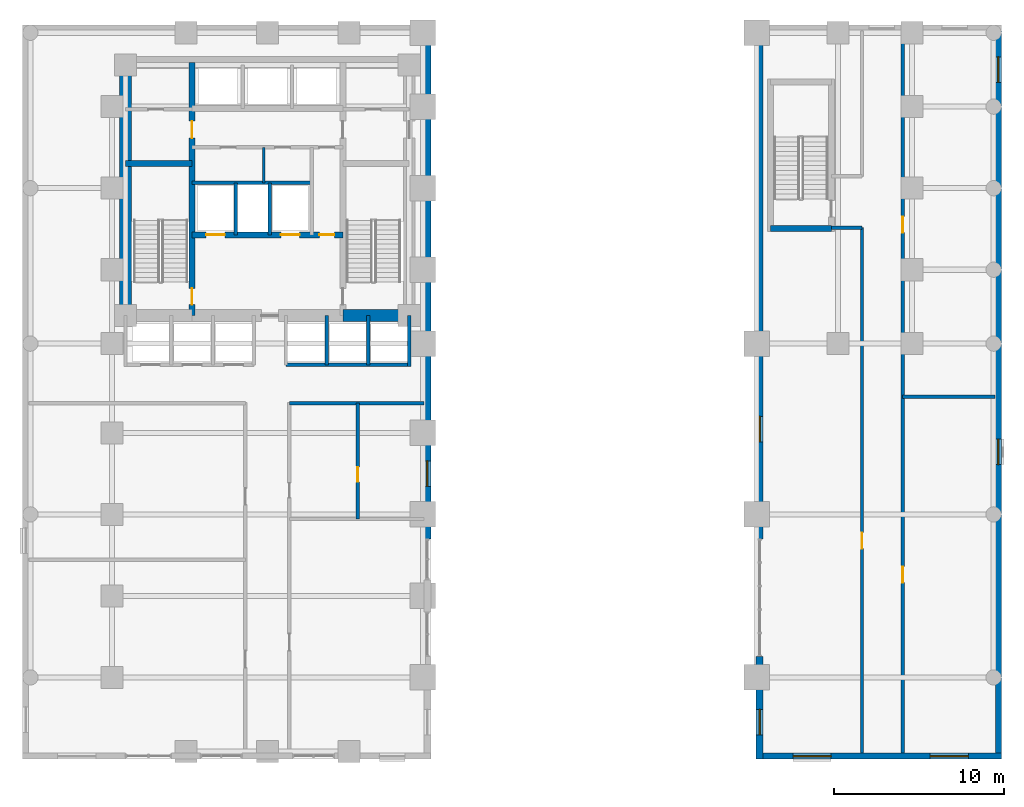
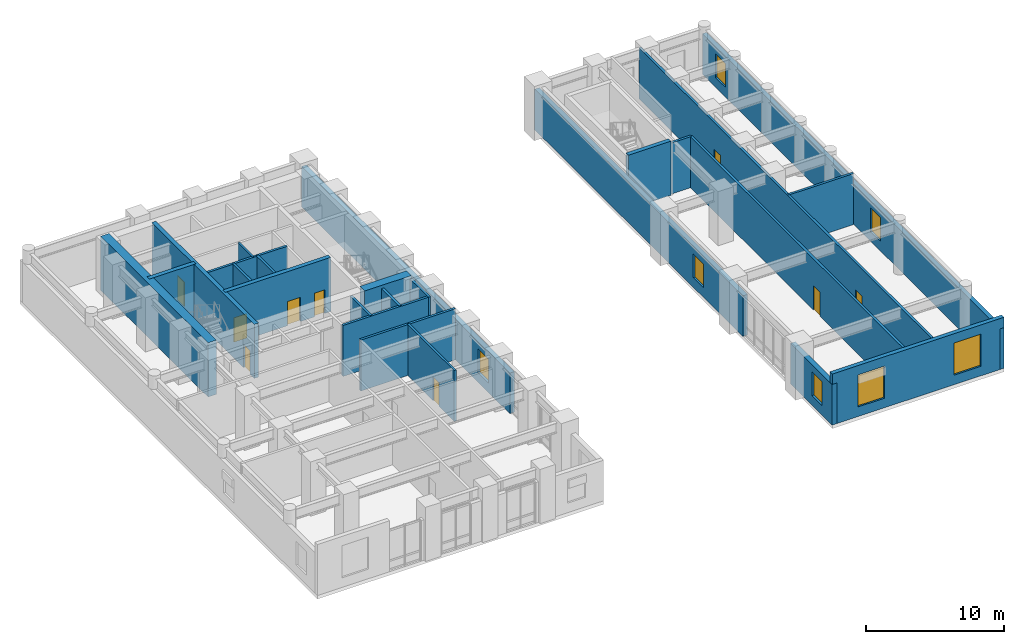
# One storey, part 7 of 11: 25 walls, 9 doors, 7 windows, 16 openings.
"""IFC4 building model written with IfcOpenShell, lengths in metres."""

from ifc_helpers import new_model, si_unit, direction, frame, frame_2d, origin, place, context, subcontext, project, spatial, rectangle, extrude, material, layer, layer_set, type_object, element, fill, save


model = new_model("IFC4")

# Units and contexts
model_context = context("Model", 3, precision=1e-05, world=origin(), true_north=direction((0.0, 1.0)))
body_context = subcontext(model_context, "Body", "Model", "MODEL_VIEW")
ifc_project = project(units=[si_unit("LENGTHUNIT", "METRE"), si_unit("AREAUNIT", "SQUARE_METRE"), si_unit("VOLUMEUNIT", "CUBIC_METRE"), si_unit("PLANEANGLEUNIT", "RADIAN"), si_unit("MASSUNIT", "GRAM", prefix="KILO")], contexts=[model_context])

# Site, building, storey
site_placement = place(None, origin())
site = spatial("IfcSite", under=ifc_project, at=site_placement, CompositionType="ELEMENT")
building_placement = place(site_placement, origin())
building = spatial("IfcBuilding", under=site, at=building_placement, Name="Orvandelia Arch Residences", CompositionType="ELEMENT")
storey_placement = place(building_placement, frame((0.0, 0.0, 5.199951171875)))
storey = spatial("IfcBuildingStorey", under=building, at=storey_placement, Name="L01", CompositionType="ELEMENT", Elevation=5.199951171875)

# Wall, opening, window
ifc_material_1 = material(Name="Precast concrete C40/50", Category="concrete")
ifc_layer_1 = layer(ifc_material_1, 0.39990234375, Name="Precast concrete C40/50", Category="concrete")
ifc_layer_set_1 = layer_set([ifc_layer_1], Name="Precast concrete C40/50")
wall_type_1 = type_object("IfcWallType", Name="WL-ARCH-CHEEK-400", PredefinedType="SOLIDWALL", material=ifc_layer_set_1)
wall_1_placement = place(storey_placement, frame((23.824951171875, 48.0, 0.0), z_axis=(0.0, 0.0, 1.0), x_axis=(0.0, -1.0, 0.0)))
wall_1 = element("IfcWall", 1, at=wall_1_placement, inside=storey, type_object=wall_type_1, Name="Giant Arch Pier Cheek Wall L01-002", PredefinedType="SOLIDWALL", context=body_context, shape_type="SweptSolid", body=[
    extrude(rectangle(XDim=30.239990234375, YDim=0.39990234375, at=frame_2d((15.1201171875, 0.0))), origin(), (0.0, 0.0, 1.0), 3.60009765625),
])
opening_1_placement = place(wall_1_placement, frame((25.64990234375, 0.0, 0.85009765625)))
opening_1 = element("IfcOpeningElement", 2, at=opening_1_placement, cuts=wall_1, Name="Opening W2", PredefinedType="OPENING", context=body_context, shape_type="SweptSolid", body=[
    extrude(rectangle(XDim=1.5, YDim=2.10009765625, at=frame_2d((0.75, 1.050048828125))), frame((0.0, 0.2099609375, 0.0), z_axis=(0.0, -1.0, 0.0), x_axis=(1.0, 0.0, 0.0)), (0.0, 0.0, 1.0), 0.419921875),
])
ifc_material_2 = material(Name="Tempered Low-E Insulated Glazing", Category="glass")
window_type_1 = type_object("IfcWindowType", Name="WIN-RES-1500x2100", PartitioningType="SINGLE_PANEL", PredefinedType="WINDOW", material=ifc_material_2)
window_1_placement = place(opening_1_placement, origin())
window_1 = element("IfcWindow", 3, at=window_1_placement, inside=storey, type_object=window_type_1, Name="Recessed Punched Window L01-001", OverallHeight=2.10009765625, OverallWidth=1.5, PartitioningType="SINGLE_PANEL", PredefinedType="WINDOW", context=body_context, shape_type="SweptSolid", body=[
    extrude(rectangle(XDim=1.5, YDim=2.10009765625, at=frame_2d((0.75, 1.050048828125))), frame((0.0, 0.030029296875, 0.0), z_axis=(0.0, -1.0, 0.0), x_axis=(1.0, 0.0, 0.0)), (0.0, 0.0, 1.0), 0.06005859375),
])
fill(opening_1, window_1)

wall_2_placement = place(storey_placement, frame((43.375, 4.800048828125, 0.0), z_axis=(0.0, 0.0, 1.0), x_axis=(0.0, 1.0, 0.0)))
wall_2 = element("IfcWall", 4, at=wall_2_placement, inside=storey, type_object=wall_type_1, Name="Giant Arch Pier Cheek Wall L01-013", PredefinedType="SOLIDWALL", context=body_context, shape_type="SweptSolid", body=[
    extrude(rectangle(XDim=6.0400390625, YDim=0.39990234375, at=frame_2d((3.02001953125, 0.0))), origin(), (0.0, 0.0, 1.0), 3.60009765625),
])
opening_2_placement = place(wall_2_placement, frame((1.425048828125, 0.0, 0.85009765625)))
opening_2 = element("IfcOpeningElement", 5, at=opening_2_placement, cuts=wall_2, Name="Opening W2", PredefinedType="OPENING", context=body_context, shape_type="SweptSolid", body=[
    extrude(rectangle(XDim=1.5, YDim=2.10009765625, at=frame_2d((0.75, 1.050048828125))), frame((0.0, 0.2099609375, 0.0), z_axis=(0.0, -1.0, 0.0), x_axis=(1.0, 0.0, 0.0)), (0.0, 0.0, 1.0), 0.419921875),
])
window_2_placement = place(opening_2_placement, origin())
window_2 = element("IfcWindow", 6, at=window_2_placement, inside=storey, type_object=window_type_1, Name="Recessed Punched Window L01-013", OverallHeight=2.10009765625, OverallWidth=1.5, PartitioningType="SINGLE_PANEL", PredefinedType="WINDOW", context=body_context, shape_type="SweptSolid", body=[
    extrude(rectangle(XDim=1.5, YDim=2.10009765625, at=frame_2d((0.75, 1.050048828125))), frame((0.0, 0.030029296875, 0.0), z_axis=(0.0, -1.0, 0.0), x_axis=(1.0, 0.0, 0.0)), (0.0, 0.0, 1.0), 0.06005859375),
])
fill(opening_2, window_2)

wall_3_placement = place(storey_placement, frame((43.375, 17.760009765625, 0.0), z_axis=(0.0, 0.0, 1.0), x_axis=(0.0, 1.0, 0.0)))
wall_3 = element("IfcWall", 7, at=wall_3_placement, inside=storey, type_object=wall_type_1, Name="Giant Arch Pier Cheek Wall L01-014", PredefinedType="SOLIDWALL", context=body_context, shape_type="SweptSolid", body=[
    extrude(rectangle(XDim=30.239990234375, YDim=0.39990234375, at=frame_2d((15.1201171875, 0.0))), origin(), (0.0, 0.0, 1.0), 3.60009765625),
])
opening_3_placement = place(wall_3_placement, frame((5.715087890625, 0.0, 0.85009765625)))
opening_3 = element("IfcOpeningElement", 8, at=opening_3_placement, cuts=wall_3, Name="Opening W2", PredefinedType="OPENING", context=body_context, shape_type="SweptSolid", body=[
    extrude(rectangle(XDim=1.5, YDim=2.10009765625, at=frame_2d((0.75, 1.050048828125))), frame((0.0, 0.2099609375, 0.0), z_axis=(0.0, -1.0, 0.0), x_axis=(1.0, 0.0, 0.0)), (0.0, 0.0, 1.0), 0.419921875),
])
window_3_placement = place(opening_3_placement, origin())
window_3 = element("IfcWindow", 9, at=window_3_placement, inside=storey, type_object=window_type_1, Name="Recessed Punched Window L01-014", OverallHeight=2.10009765625, OverallWidth=1.5, PartitioningType="SINGLE_PANEL", PredefinedType="WINDOW", context=body_context, shape_type="SweptSolid", body=[
    extrude(rectangle(XDim=1.5, YDim=2.10009765625, at=frame_2d((0.75, 1.050048828125))), frame((0.0, 0.030029296875, 0.0), z_axis=(0.0, -1.0, 0.0), x_axis=(1.0, 0.0, 0.0)), (0.0, 0.0, 1.0), 0.06005859375),
])
fill(opening_3, window_3)

# Wall, openings, doors
ifc_material_3 = material(Name="Concrete C50/60", Category="concrete")
ifc_layer_2 = layer(ifc_material_3, 0.35009765625, Name="Concrete C50/60", Category="concrete")
ifc_layer_set_2 = layer_set([ifc_layer_2], Name="Concrete C50/60")
wall_type_2 = type_object("IfcWallType", Name="WL-CORE-350", PredefinedType="SHEAR", material=ifc_layer_set_2)
wall_4_placement = place(storey_placement, frame((9.9599609375, 30.89990234375, 0.0), z_axis=(0.0, 0.0, 1.0), x_axis=(0.0, 1.0, 0.0)))
wall_4 = element("IfcWall", 10, at=wall_4_placement, inside=storey, type_object=wall_type_2, Name="Core Shear Wall L01-WEB1", PredefinedType="SHEAR", context=body_context, shape_type="SweptSolid", body=[
    extrude(rectangle(XDim=14.900146484375, YDim=0.35009765625, at=frame_2d((7.4501953125, 0.0))), origin(), (0.0, 0.0, 1.0), 4.800048828125),
])
opening_4_placement = place(wall_4_placement, frame((0.64990234375, 0.0, 0.0)))
opening_4 = element("IfcOpeningElement", 11, at=opening_4_placement, cuts=wall_4, Name="Opening D7", PredefinedType="OPENING", context=body_context, shape_type="SweptSolid", body=[
    extrude(rectangle(XDim=0.949951171875, YDim=2.10009765625, at=frame_2d((0.47509765625, 1.050048828125))), frame((0.0, 0.18505859375, 0.0), z_axis=(0.0, -1.0, 0.0), x_axis=(1.0, 0.0, 0.0)), (0.0, 0.0, 1.0), 0.3701171875),
])
opening_5_placement = place(wall_4_placement, frame((10.449951171875, 0.0, 0.0)))
opening_5 = element("IfcOpeningElement", 12, at=opening_5_placement, cuts=wall_4, Name="Opening D6", PredefinedType="OPENING", context=body_context, shape_type="SweptSolid", body=[
    extrude(rectangle(XDim=1.0, YDim=2.14990234375, at=frame_2d((0.5, 1.074951171875))), frame((0.0, 0.18505859375, 0.0), z_axis=(0.0, -1.0, 0.0), x_axis=(1.0, 0.0, 0.0)), (0.0, 0.0, 1.0), 0.3701171875),
])
ifc_material_4 = material(Name="Smokeproof Painted Steel Fire Door", Category="steel")
door_type_1 = type_object("IfcDoorType", Name="DR-FD60-1000", OperationType="NOTDEFINED", PredefinedType="DOOR", material=ifc_material_4)
door_1_placement = place(opening_5_placement, origin())
door_1 = element("IfcDoor", 13, at=door_1_placement, inside=storey, type_object=door_type_1, Name="High-Rise Lift Hall West Vestibule Door L01", OperationType="SINGLE_SWING_LEFT", OverallHeight=2.14990234375, OverallWidth=1.0, PredefinedType="DOOR", context=body_context, shape_type="SweptSolid", body=[
    extrude(rectangle(XDim=1.0, YDim=2.14990234375, at=frame_2d((0.5, 1.074951171875))), frame((0.0, 0.02490234375, 0.0), z_axis=(0.0, -1.0, 0.0), x_axis=(1.0, 0.0, 0.0)), (0.0, 0.0, 1.0), 0.050048828125),
])
fill(opening_5, door_1)
ifc_material_5 = material(Name="Pressurised Stairwell Fire Door")
door_type_2 = type_object("IfcDoorType", Name="DR-STAIR-950", OperationType="NOTDEFINED", PredefinedType="DOOR", material=ifc_material_5)
door_2_placement = place(opening_4_placement, origin())
door_2 = element("IfcDoor", 14, at=door_2_placement, inside=storey, type_object=door_type_2, Name="Stairwell ST-1 Fire Door L01", OperationType="SINGLE_SWING_LEFT", OverallHeight=2.10009765625, OverallWidth=0.949951171875, PredefinedType="DOOR", context=body_context, shape_type="SweptSolid", body=[
    extrude(rectangle(XDim=0.949951171875, YDim=2.10009765625, at=frame_2d((0.47509765625, 1.050048828125))), frame((0.0, 0.02490234375, 0.0), z_axis=(0.0, -1.0, 0.0), x_axis=(1.0, 0.0, 0.0)), (0.0, 0.0, 1.0), 0.050048828125),
])
fill(opening_4, door_2)

# Wall
wall_5_placement = place(storey_placement, frame((6.050048828125, 39.85009765625, 0.0), z_axis=(0.0, 0.0, 1.0), x_axis=(1.0, 0.0, 0.0)))
element("IfcWall", 15, at=wall_5_placement, inside=storey, type_object=wall_type_2, Name="Core Shear Wall L01-HZ1", PredefinedType="SHEAR", context=body_context, shape_type="SweptSolid", body=[
    extrude(rectangle(XDim=3.909912109375, YDim=0.35009765625, at=frame_2d((1.955078125, 0.0))), origin(), (0.0, 0.0, 1.0), 4.800048828125),
])

# Wall, openings, doors
wall_6_placement = place(storey_placement, frame((9.9599609375, 35.64990234375, 0.0), z_axis=(0.0, 0.0, 1.0), x_axis=(1.0, 0.0, 0.0)))
wall_6 = element("IfcWall", 16, at=wall_6_placement, inside=storey, type_object=wall_type_2, Name="Core Shear Wall L01-HZ3", PredefinedType="SHEAR", context=body_context, shape_type="SweptSolid", body=[
    extrude(rectangle(XDim=8.880126953125, YDim=0.35009765625, at=frame_2d((4.43994140625, 0.0))), origin(), (0.0, 0.0, 1.0), 4.800048828125),
])
opening_6_placement = place(wall_6_placement, frame((0.840087890625, 0.0, 0.0)))
opening_6 = element("IfcOpeningElement", 17, at=opening_6_placement, cuts=wall_6, Name="Opening FLD", PredefinedType="OPENING", context=body_context, shape_type="SweptSolid", body=[
    extrude(rectangle(XDim=1.10009765625, YDim=2.14990234375, at=frame_2d((0.550048828125, 1.074951171875))), frame((0.0, 0.18505859375, 0.0), z_axis=(0.0, -1.0, 0.0), x_axis=(1.0, 0.0, 0.0)), (0.0, 0.0, 1.0), 0.3701171875),
])
opening_7_placement = place(wall_6_placement, frame((5.239990234375, 0.0, 0.0)))
opening_7 = element("IfcOpeningElement", 18, at=opening_7_placement, cuts=wall_6, Name="Opening FLD", PredefinedType="OPENING", context=body_context, shape_type="SweptSolid", body=[
    extrude(rectangle(XDim=1.10009765625, YDim=2.14990234375, at=frame_2d((0.550048828125, 1.074951171875))), frame((0.0, 0.18505859375, 0.0), z_axis=(0.0, -1.0, 0.0), x_axis=(1.0, 0.0, 0.0)), (0.0, 0.0, 1.0), 0.3701171875),
])
opening_8_placement = place(wall_6_placement, frame((7.5, 0.0, 0.0)))
opening_8 = element("IfcOpeningElement", 19, at=opening_8_placement, cuts=wall_6, Name="Opening D5", PredefinedType="OPENING", context=body_context, shape_type="SweptSolid", body=[
    extrude(rectangle(XDim=0.8798828125, YDim=2.10009765625, at=frame_2d((0.43994140625, 1.050048828125))), frame((0.0, 0.18505859375, 0.0), z_axis=(0.0, -1.0, 0.0), x_axis=(1.0, 0.0, 0.0)), (0.0, 0.0, 1.0), 0.3701171875),
])
ifc_material_6 = material(Name="Firefighting Lift Stainless Sliding Door")
door_type_3 = type_object("IfcDoorType", Name="DR-FLFT-1100", OperationType="NOTDEFINED", PredefinedType="DOOR", material=ifc_material_6)
door_3_placement = place(opening_6_placement, origin())
door_3 = element("IfcDoor", 20, at=door_3_placement, inside=storey, type_object=door_type_3, Name="Firefighting Lift Landing Door FLD-FL1-L01", OperationType="SLIDING_TO_LEFT", OverallHeight=2.14990234375, OverallWidth=1.10009765625, PredefinedType="DOOR", context=body_context, shape_type="SweptSolid", body=[
    extrude(rectangle(XDim=1.10009765625, YDim=2.14990234375, at=frame_2d((0.550048828125, 1.074951171875))), frame((0.0, 0.02490234375, 0.0), z_axis=(0.0, -1.0, 0.0), x_axis=(1.0, 0.0, 0.0)), (0.0, 0.0, 1.0), 0.050048828125),
])
fill(opening_6, door_3)
door_4_placement = place(opening_7_placement, origin())
door_4 = element("IfcDoor", 21, at=door_4_placement, inside=storey, type_object=door_type_3, Name="Firefighting Lift Landing Door FLD-FL2-L01", OperationType="SLIDING_TO_RIGHT", OverallHeight=2.14990234375, OverallWidth=1.10009765625, PredefinedType="DOOR", context=body_context, shape_type="SweptSolid", body=[
    extrude(rectangle(XDim=1.10009765625, YDim=2.14990234375, at=frame_2d((0.550048828125, 1.074951171875))), frame((0.0, 0.02490234375, 0.0), z_axis=(0.0, -1.0, 0.0), x_axis=(1.0, 0.0, 0.0)), (0.0, 0.0, 1.0), 0.050048828125),
])
fill(opening_7, door_4)
ifc_material_7 = material(Name="Painted Galvanised Steel Service Door", Category="steel")
door_type_4 = type_object("IfcDoorType", Name="DR-SRV-880", OperationType="NOTDEFINED", PredefinedType="DOOR", material=ifc_material_7)
door_5_placement = place(opening_8_placement, origin())
door_5 = element("IfcDoor", 22, at=door_5_placement, inside=storey, type_object=door_type_4, Name="Core Stairway Passage South Fire Door L01", OperationType="SINGLE_SWING_LEFT", OverallHeight=2.10009765625, OverallWidth=0.8798828125, PredefinedType="DOOR", context=body_context, shape_type="SweptSolid", body=[
    extrude(rectangle(XDim=0.8798828125, YDim=2.10009765625, at=frame_2d((0.43994140625, 1.050048828125))), frame((0.0, 0.02490234375, 0.0), z_axis=(0.0, -1.0, 0.0), x_axis=(1.0, 0.0, 0.0)), (0.0, 0.0, 1.0), 0.050048828125),
])
fill(opening_8, door_5)

# Walls
wall_7_placement = place(storey_placement, frame((44.02001953125, 36.0400390625, 0.0), z_axis=(0.0, 0.0, 1.0), x_axis=(1.0, 0.0, 0.0)))
element("IfcWall", 23, at=wall_7_placement, inside=storey, type_object=wall_type_2, Name="East Stair Core Shear Wall L01-S", PredefinedType="SHEAR", context=body_context, shape_type="SweptSolid", body=[
    extrude(rectangle(XDim=3.580078125, YDim=0.35009765625, at=frame_2d((1.7900390625, 0.0))), origin(), (0.0, 0.0, 1.0), 4.800048828125),
])
ifc_material_8 = material(Name="Concrete C80/95", Category="concrete")
ifc_layer_3 = layer(ifc_material_8, 0.699951171875, Name="Concrete C80/95", Category="concrete")
ifc_layer_set_3 = layer_set([ifc_layer_3], Name="Concrete C80/95")
wall_type_3 = type_object("IfcWallType", Name="WL-CORE-700", PredefinedType="SHEAR", material=ifc_layer_set_3)
wall_8_placement = place(storey_placement, frame((6.050048828125, 30.550048828125, 0.0), z_axis=(0.0, 0.0, 1.0), x_axis=(0.0, 1.0, 0.0)))
element("IfcWall", 24, at=wall_8_placement, inside=storey, type_object=wall_type_3, Name="Core Shear Wall L01-W", PredefinedType="SHEAR", context=body_context, shape_type="SweptSolid", body=[
    extrude(rectangle(XDim=15.599853515625, YDim=0.699951171875, at=frame_2d((7.7998046875, 0.0))), origin(), (0.0, 0.0, 1.0), 4.800048828125),
])
wall_9_placement = place(storey_placement, frame((18.840087890625, 30.89990234375, 0.0), z_axis=(0.0, 0.0, 1.0), x_axis=(1.0, 0.0, 0.0)))
element("IfcWall", 25, at=wall_9_placement, inside=storey, type_object=wall_type_3, Name="Core Shear Wall L01-SE", PredefinedType="SHEAR", context=body_context, shape_type="SweptSolid", body=[
    extrude(rectangle(XDim=3.909912109375, YDim=0.699951171875, at=frame_2d((1.955078125, 0.0))), origin(), (0.0, 0.0, 1.0), 4.800048828125),
])
ifc_material_9 = material(Name="Fire-Rated Corridor Partition")
ifc_layer_4 = layer(ifc_material_9, 0.199951171875, Name="Fire-Rated Corridor Partition")
ifc_layer_set_4 = layer_set([ifc_layer_4], Name="Fire-Rated Corridor Partition")
wall_type_4 = type_object("IfcWallType", Name="WL-CORR-200", PredefinedType="PARTITIONING", material=ifc_layer_set_4)
wall_10_placement = place(storey_placement, frame((15.699951171875, 25.75, 0.0), z_axis=(0.0, 0.0, 1.0), x_axis=(1.0, 0.0, 0.0)))
element("IfcWall", 26, at=wall_10_placement, inside=storey, type_object=wall_type_4, Name="Interior Partition Wall WL-L01-PW-CLS2", PredefinedType="PARTITIONING", context=body_context, shape_type="SweptSolid", body=[
    extrude(rectangle(XDim=7.920166015625, YDim=0.199951171875, at=frame_2d((3.9599609375, 0.0))), origin(), (0.0, 0.0, 1.0), 4.52001953125),
])

# Wall, opening, door
wall_11_placement = place(storey_placement, frame((49.39990234375, 5.159912109375, 0.0), z_axis=(0.0, 0.0, 1.0), x_axis=(0.0, 1.0, 0.0)))
wall_11 = element("IfcWall", 27, at=wall_11_placement, inside=storey, type_object=wall_type_4, Name="Interior Partition Wall WL-L01-PE-W1", PredefinedType="PARTITIONING", context=body_context, shape_type="SweptSolid", body=[
    extrude(rectangle(XDim=30.920166015625, YDim=0.199951171875, at=frame_2d((15.4599609375, 0.0))), origin(), (0.0, 0.0, 1.0), 4.52001953125),
])
opening_9_placement = place(wall_11_placement, frame((12.02001953125, 0.0, 0.0)))
opening_9 = element("IfcOpeningElement", 28, at=opening_9_placement, cuts=wall_11, Name="Opening D2", PredefinedType="OPENING", context=body_context, shape_type="SweptSolid", body=[
    extrude(rectangle(XDim=0.949951171875, YDim=2.14990234375, at=frame_2d((0.47509765625, 1.074951171875))), frame((0.0, 0.10986328125, 0.0), z_axis=(0.0, -1.0, 0.0), x_axis=(1.0, 0.0, 0.0)), (0.0, 0.0, 1.0), 0.219970703125),
])
ifc_material_10 = material(Name="Solid-Core Timber Interior Fire Door", Category="wood")
door_type_5 = type_object("IfcDoorType", Name="DR-APT-950", OperationType="NOTDEFINED", PredefinedType="DOOR", material=ifc_material_10)
door_6_placement = place(opening_9_placement, origin())
door_6 = element("IfcDoor", 29, at=door_6_placement, inside=storey, type_object=door_type_5, Name="DR-L01-PEW", OperationType="SINGLE_SWING_RIGHT", OverallHeight=2.14990234375, OverallWidth=0.949951171875, PredefinedType="DOOR", context=body_context, shape_type="SweptSolid", body=[
    extrude(rectangle(XDim=0.949951171875, YDim=2.14990234375, at=frame_2d((0.47509765625, 1.074951171875))), frame((0.0, 0.02490234375, 0.0), z_axis=(0.0, -1.0, 0.0), x_axis=(1.0, 0.0, 0.0)), (0.0, 0.0, 1.0), 0.050048828125),
])
fill(opening_9, door_6)

# Wall
wall_12_placement = place(storey_placement, frame((47.60009765625, 36.080078125, 0.0), z_axis=(0.0, 0.0, 1.0), x_axis=(1.0, 0.0, 0.0)))
element("IfcWall", 30, at=wall_12_placement, inside=storey, type_object=wall_type_4, Name="Interior Partition Wall WL-L01-PE-VS", PredefinedType="PARTITIONING", context=body_context, shape_type="SweptSolid", body=[
    extrude(rectangle(XDim=1.7998046875, YDim=0.199951171875, at=frame_2d((0.89990234375, 0.0))), origin(), (0.0, 0.0, 1.0), 4.52001953125),
])

# Wall, openings, doors
wall_13_placement = place(storey_placement, frame((51.800048828125, 5.159912109375, 0.0), z_axis=(0.0, 0.0, 1.0), x_axis=(0.0, 1.0, 0.0)))
wall_13 = element("IfcWall", 31, at=wall_13_placement, inside=storey, type_object=wall_type_4, Name="Interior Partition Wall WL-L01-PE-E", PredefinedType="PARTITIONING", context=body_context, shape_type="SweptSolid", body=[
    extrude(rectangle(XDim=42.47998046875, YDim=0.199951171875, at=frame_2d((21.239990234375, 0.0))), origin(), (0.0, 0.0, 1.0), 4.52001953125),
])
opening_10_placement = place(wall_13_placement, frame((10.02001953125, 0.0, 0.0)))
opening_10 = element("IfcOpeningElement", 32, at=opening_10_placement, cuts=wall_13, Name="Opening D2", PredefinedType="OPENING", context=body_context, shape_type="SweptSolid", body=[
    extrude(rectangle(XDim=0.949951171875, YDim=2.14990234375, at=frame_2d((0.47509765625, 1.074951171875))), frame((0.0, 0.10986328125, 0.0), z_axis=(0.0, -1.0, 0.0), x_axis=(1.0, 0.0, 0.0)), (0.0, 0.0, 1.0), 0.219970703125),
])
opening_11_placement = place(wall_13_placement, frame((30.6201171875, 0.0, 0.0)))
opening_11 = element("IfcOpeningElement", 33, at=opening_11_placement, cuts=wall_13, Name="Opening D2", PredefinedType="OPENING", context=body_context, shape_type="SweptSolid", body=[
    extrude(rectangle(XDim=0.949951171875, YDim=2.14990234375, at=frame_2d((0.47509765625, 1.074951171875))), frame((0.0, 0.10986328125, 0.0), z_axis=(0.0, -1.0, 0.0), x_axis=(1.0, 0.0, 0.0)), (0.0, 0.0, 1.0), 0.219970703125),
])
door_7_placement = place(opening_10_placement, origin())
door_7 = element("IfcDoor", 34, at=door_7_placement, inside=storey, type_object=door_type_5, Name="DR-L01-PE1", OperationType="SINGLE_SWING_LEFT", OverallHeight=2.14990234375, OverallWidth=0.949951171875, PredefinedType="DOOR", context=body_context, shape_type="SweptSolid", body=[
    extrude(rectangle(XDim=0.949951171875, YDim=2.14990234375, at=frame_2d((0.47509765625, 1.074951171875))), frame((0.0, 0.02490234375, 0.0), z_axis=(0.0, -1.0, 0.0), x_axis=(1.0, 0.0, 0.0)), (0.0, 0.0, 1.0), 0.050048828125),
])
fill(opening_10, door_7)
door_8_placement = place(opening_11_placement, origin())
door_8 = element("IfcDoor", 35, at=door_8_placement, inside=storey, type_object=door_type_5, Name="DR-L01-PE2", OperationType="SINGLE_SWING_RIGHT", OverallHeight=2.14990234375, OverallWidth=0.949951171875, PredefinedType="DOOR", context=body_context, shape_type="SweptSolid", body=[
    extrude(rectangle(XDim=0.949951171875, YDim=2.14990234375, at=frame_2d((0.47509765625, 1.074951171875))), frame((0.0, 0.02490234375, 0.0), z_axis=(0.0, -1.0, 0.0), x_axis=(1.0, 0.0, 0.0)), (0.0, 0.0, 1.0), 0.050048828125),
])
fill(opening_11, door_8)

# Wall
ifc_material_11 = material(Name="Concrete C40/50", Category="concrete")
ifc_layer_5 = layer(ifc_material_11, 0.199951171875, Name="Concrete C40/50", Category="concrete")
ifc_layer_set_5 = layer_set([ifc_layer_5], Name="Concrete C40/50")
wall_type_5 = type_object("IfcWallType", Name="WL-DEM-200", PredefinedType="SOLIDWALL", material=ifc_layer_set_5)
wall_14_placement = place(storey_placement, frame((51.800048828125, 26.1201171875, 0.0), z_axis=(0.0, 0.0, 1.0), x_axis=(1.0, 0.0, 0.0)))
element("IfcWall", 36, at=wall_14_placement, inside=storey, type_object=wall_type_5, Name="Interior Partition Wall WL-L01-PE-M", PredefinedType="SOLIDWALL", context=body_context, shape_type="SweptSolid", body=[
    extrude(rectangle(XDim=5.43994140625, YDim=0.199951171875, at=frame_2d((2.719970703125, 0.0))), origin(), (0.0, 0.0, 1.0), 4.52001953125),
])

# Wall, openings, windows
ifc_layer_6 = layer(ifc_material_1, 0.35009765625, Name="Precast concrete C40/50", Category="concrete")
ifc_layer_set_6 = layer_set([ifc_layer_6], Name="Precast concrete C40/50")
wall_type_6 = type_object("IfcWallType", Name="WL-EXT-POD-350", PredefinedType="STANDARD", material=ifc_layer_set_6)
wall_15_placement = place(storey_placement, frame((57.425048828125, 48.0, 0.0), z_axis=(0.0, 0.0, 1.0), x_axis=(0.0, -1.0, 0.0)))
wall_15 = element("IfcWall", 37, at=wall_15_placement, inside=storey, type_object=wall_type_6, Name="Coral-Limestone Precast Facade Wall L01-011", PredefinedType="STANDARD", context=body_context, shape_type="SweptSolid", body=[
    extrude(rectangle(XDim=43.199951171875, YDim=0.35009765625, at=frame_2d((21.60009765625, 0.0))), origin(), (0.0, 0.0, 1.0), 3.60009765625),
])
opening_12_placement = place(wall_15_placement, frame((24.375, 0.0, 0.85009765625)))
opening_12 = element("IfcOpeningElement", 38, at=opening_12_placement, cuts=wall_15, Name="Opening W2", PredefinedType="OPENING", context=body_context, shape_type="SweptSolid", body=[
    extrude(rectangle(XDim=1.5, YDim=2.10009765625, at=frame_2d((0.75, 1.050048828125))), frame((0.0, 0.18505859375, 0.0), z_axis=(0.0, -1.0, 0.0), x_axis=(1.0, 0.0, 0.0)), (0.0, 0.0, 1.0), 0.3701171875),
])
opening_13_placement = place(wall_15_placement, frame((1.875, 0.0, 0.85009765625)))
opening_13 = element("IfcOpeningElement", 39, at=opening_13_placement, cuts=wall_15, Name="Opening W2", PredefinedType="OPENING", context=body_context, shape_type="SweptSolid", body=[
    extrude(rectangle(XDim=1.5, YDim=2.10009765625, at=frame_2d((0.75, 1.050048828125))), frame((0.0, 0.18505859375, 0.0), z_axis=(0.0, -1.0, 0.0), x_axis=(1.0, 0.0, 0.0)), (0.0, 0.0, 1.0), 0.3701171875),
])
window_4_placement = place(opening_12_placement, origin())
window_4 = element("IfcWindow", 40, at=window_4_placement, inside=storey, type_object=window_type_1, Name="Recessed Punched Window L01-009", OverallHeight=2.10009765625, OverallWidth=1.5, PartitioningType="SINGLE_PANEL", PredefinedType="WINDOW", context=body_context, shape_type="SweptSolid", body=[
    extrude(rectangle(XDim=1.5, YDim=2.10009765625, at=frame_2d((0.75, 1.050048828125))), frame((0.0, 0.030029296875, 0.0), z_axis=(0.0, -1.0, 0.0), x_axis=(1.0, 0.0, 0.0)), (0.0, 0.0, 1.0), 0.06005859375),
])
fill(opening_12, window_4)
window_5_placement = place(opening_13_placement, origin())
window_5 = element("IfcWindow", 41, at=window_5_placement, inside=storey, type_object=window_type_1, Name="Recessed Punched Window L01-010", OverallHeight=2.10009765625, OverallWidth=1.5, PartitioningType="SINGLE_PANEL", PredefinedType="WINDOW", context=body_context, shape_type="SweptSolid", body=[
    extrude(rectangle(XDim=1.5, YDim=2.10009765625, at=frame_2d((0.75, 1.050048828125))), frame((0.0, 0.030029296875, 0.0), z_axis=(0.0, -1.0, 0.0), x_axis=(1.0, 0.0, 0.0)), (0.0, 0.0, 1.0), 0.06005859375),
])
fill(opening_13, window_5)

wall_16_placement = place(storey_placement, frame((57.60009765625, 4.97509765625, 0.0), z_axis=(0.0, 0.0, 1.0), x_axis=(-1.0, 0.0, 0.0)))
wall_16 = element("IfcWall", 42, at=wall_16_placement, inside=storey, type_object=wall_type_6, Name="Coral-Limestone Precast Facade Wall L01-012", PredefinedType="STANDARD", context=body_context, shape_type="SweptSolid", body=[
    extrude(rectangle(XDim=14.400146484375, YDim=0.35009765625, at=frame_2d((7.2001953125, 0.0))), origin(), (0.0, 0.0, 1.0), 4.52001953125),
])
opening_14_placement = place(wall_16_placement, frame((1.93994140625, 0.0, 0.85009765625)))
opening_14 = element("IfcOpeningElement", 43, at=opening_14_placement, cuts=wall_16, Name="Opening W13", PredefinedType="OPENING", context=body_context, shape_type="SweptSolid", body=[
    extrude(rectangle(XDim=2.25, YDim=2.85009765625, at=frame_2d((1.125, 1.425048828125))), frame((0.0, 0.18505859375, 0.0), z_axis=(0.0, -1.0, 0.0), x_axis=(1.0, 0.0, 0.0)), (0.0, 0.0, 1.0), 0.3701171875),
])
opening_15_placement = place(wall_16_placement, frame((10.010009765625, 0.0, 0.85009765625)))
opening_15 = element("IfcOpeningElement", 44, at=opening_15_placement, cuts=wall_16, Name="Opening W13", PredefinedType="OPENING", context=body_context, shape_type="SweptSolid", body=[
    extrude(rectangle(XDim=2.25, YDim=2.85009765625, at=frame_2d((1.125, 1.425048828125))), frame((0.0, 0.18505859375, 0.0), z_axis=(0.0, -1.0, 0.0), x_axis=(1.0, 0.0, 0.0)), (0.0, 0.0, 1.0), 0.3701171875),
])
ifc_material_12 = material(Name="Laminated Acoustic Double Glazing", Category="glass")
window_type_2 = type_object("IfcWindowType", Name="WIN-GAL-2250x2850", PartitioningType="SINGLE_PANEL", PredefinedType="WINDOW", material=ifc_material_12)
window_6_placement = place(opening_14_placement, origin())
window_6 = element("IfcWindow", 45, at=window_6_placement, inside=storey, type_object=window_type_2, Name="Recessed Punched Window L01-011", OverallHeight=2.85009765625, OverallWidth=2.25, PartitioningType="SINGLE_PANEL", PredefinedType="WINDOW", context=body_context, shape_type="SweptSolid", body=[
    extrude(rectangle(XDim=2.25, YDim=2.85009765625, at=frame_2d((1.125, 1.425048828125))), frame((0.0, 0.030029296875, 0.0), z_axis=(0.0, -1.0, 0.0), x_axis=(1.0, 0.0, 0.0)), (0.0, 0.0, 1.0), 0.06005859375),
])
fill(opening_14, window_6)
window_7_placement = place(opening_15_placement, origin())
window_7 = element("IfcWindow", 46, at=window_7_placement, inside=storey, type_object=window_type_2, Name="Recessed Punched Window L01-012", OverallHeight=2.85009765625, OverallWidth=2.25, PartitioningType="SINGLE_PANEL", PredefinedType="WINDOW", context=body_context, shape_type="SweptSolid", body=[
    extrude(rectangle(XDim=2.25, YDim=2.85009765625, at=frame_2d((1.125, 1.425048828125))), frame((0.0, 0.030029296875, 0.0), z_axis=(0.0, -1.0, 0.0), x_axis=(1.0, 0.0, 0.0)), (0.0, 0.0, 1.0), 0.06005859375),
])
fill(opening_15, window_7)

# Walls
ifc_material_13 = material(Name="Acoustic Gypsum Stud Partition")
ifc_layer_7 = layer(ifc_material_13, 0.14990234375, Name="Acoustic Gypsum Stud Partition")
ifc_layer_set_7 = layer_set([ifc_layer_7], Name="Acoustic Gypsum Stud Partition")
wall_type_7 = type_object("IfcWallType", Name="WL-PART-150", PredefinedType="PARTITIONING", material=ifc_layer_set_7)
wall_17_placement = place(storey_placement, frame((14.199951171875, 38.719970703125, 0.0), z_axis=(0.0, 0.0, 1.0), x_axis=(0.0, 1.0, 0.0)))
element("IfcWall", 47, at=wall_17_placement, inside=storey, type_object=wall_type_7, Name="Interior Partition Wall WL-L01-CSA-1", PredefinedType="PARTITIONING", context=body_context, shape_type="SweptSolid", body=[
    extrude(rectangle(XDim=2.080078125, YDim=0.14990234375, at=frame_2d((1.0400390625, 0.0))), origin(), (0.0, 0.0, 1.0), 4.52001953125),
])
ifc_material_14 = material(Name="Fire-Rated Shaft Enclosure Wall")
ifc_layer_8 = layer(ifc_material_14, 0.199951171875, Name="Fire-Rated Shaft Enclosure Wall")
ifc_layer_set_8 = layer_set([ifc_layer_8], Name="Fire-Rated Shaft Enclosure Wall")
wall_type_8 = type_object("IfcWallType", Name="WL-SHAFT-200", PredefinedType="POLYGONAL", material=ifc_layer_set_8)
wall_18_placement = place(storey_placement, frame((9.9599609375, 38.719970703125, 0.0), z_axis=(0.0, 0.0, 1.0), x_axis=(1.0, 0.0, 0.0)))
element("IfcWall", 48, at=wall_18_placement, inside=storey, type_object=wall_type_8, Name="Interior Partition Wall WL-L01-FLN", PredefinedType="POLYGONAL", context=body_context, shape_type="SweptSolid", body=[
    extrude(rectangle(XDim=7.06005859375, YDim=0.199951171875, at=frame_2d((3.530029296875, 0.0))), origin(), (0.0, 0.0, 1.0), 4.52001953125),
])
for number, where, z_axis, x_axis, name in (
    (49, (12.550048828125, 35.64990234375, 0.0), (0.0, 0.0, 1.0), (0.0, 1.0, 0.0), "Interior Partition Wall WL-L01-FLM1"),
    (50, (14.550048828125, 35.64990234375, 0.0), (0.0, 0.0, 1.0), (0.0, 1.0, 0.0), "Interior Partition Wall WL-L01-FLM2"),
):
    element("IfcWall", number, at=place(storey_placement, frame(where, z_axis=z_axis, x_axis=x_axis)), inside=storey, type_object=wall_type_8, Name=name, PredefinedType="POLYGONAL", context=body_context, shape_type="SweptSolid", body=[
        extrude(rectangle(XDim=3.070068359375, YDim=0.199951171875, at=frame_2d((1.53515625, 0.0))), origin(), (0.0, 0.0, 1.0), 4.52001953125),
    ])
wall_19_placement = place(storey_placement, frame((15.5, 28.0, 0.0), z_axis=(0.0, 0.0, 1.0), x_axis=(1.0, 0.0, 0.0)))
element("IfcWall", 51, at=wall_19_placement, inside=storey, type_object=wall_type_8, Name="Interior Partition Wall WL-L01-BNKM-S", PredefinedType="POLYGONAL", context=body_context, shape_type="SweptSolid", body=[
    extrude(rectangle(XDim=7.25, YDim=0.199951171875, at=frame_2d((3.625, 0.0))), origin(), (0.0, 0.0, 1.0), 4.52001953125),
])
wall_20_placement = place(storey_placement, frame((22.75, 27.89990234375, 0.0), z_axis=(0.0, 0.0, 1.0), x_axis=(0.0, 1.0, 0.0)))
element("IfcWall", 52, at=wall_20_placement, inside=storey, type_object=wall_type_8, Name="Interior Partition Wall WL-L01-BNKM-E", PredefinedType="POLYGONAL", context=body_context, shape_type="SweptSolid", body=[
    extrude(rectangle(XDim=3.0, YDim=0.199951171875, at=frame_2d((1.5, 0.0))), origin(), (0.0, 0.0, 1.0), 4.52001953125),
])
for number, where, z_axis, x_axis, name in (
    (53, (17.89990234375, 28.0, 0.0), (0.0, 0.0, 1.0), (0.0, 1.0, 0.0), "Interior Partition Wall WL-L01-BNKD-1789"),
    (54, (20.35009765625, 28.0, 0.0), (0.0, 0.0, 1.0), (0.0, 1.0, 0.0), "Interior Partition Wall WL-L01-BNKD-2035"),
):
    element("IfcWall", number, at=place(storey_placement, frame(where, z_axis=z_axis, x_axis=x_axis)), inside=storey, type_object=wall_type_8, Name=name, PredefinedType="POLYGONAL", context=body_context, shape_type="SweptSolid", body=[
        extrude(rectangle(XDim=2.89990234375, YDim=0.199951171875, at=frame_2d((1.449951171875, 0.0))), origin(), (0.0, 0.0, 1.0), 4.52001953125),
    ])

# Wall, opening, door
ifc_material_15 = material(Name="Moisture-Resistant Plumbing Wall")
ifc_layer_9 = layer(ifc_material_15, 0.179931640625, Name="Moisture-Resistant Plumbing Wall")
ifc_layer_set_9 = layer_set([ifc_layer_9], Name="Moisture-Resistant Plumbing Wall")
wall_type_9 = type_object("IfcWallType", Name="WL-WET-180", PredefinedType="PLUMBINGWALL", material=ifc_layer_set_9)
wall_21_placement = place(storey_placement, frame((19.719970703125, 18.919921875, 0.0), z_axis=(0.0, 0.0, 1.0), x_axis=(0.0, 1.0, 0.0)))
wall_21 = element("IfcWall", 55, at=wall_21_placement, inside=storey, type_object=wall_type_9, Name="Interior Partition Wall WL-L01-PW-D3", PredefinedType="PLUMBINGWALL", context=body_context, shape_type="SweptSolid", body=[
    extrude(rectangle(XDim=6.830078125, YDim=0.179931640625, at=frame_2d((3.4150390625, 0.0))), origin(), (0.0, 0.0, 1.0), 4.52001953125),
])
opening_16_placement = place(wall_21_placement, frame((2.199951171875, 0.0, 0.0)))
opening_16 = element("IfcOpeningElement", 56, at=opening_16_placement, cuts=wall_21, Name="Opening D4", PredefinedType="OPENING", context=body_context, shape_type="SweptSolid", body=[
    extrude(rectangle(XDim=0.860107421875, YDim=2.10009765625, at=frame_2d((0.43017578125, 1.050048828125))), frame((0.0, 0.10009765625, 0.0), z_axis=(0.0, -1.0, 0.0), x_axis=(1.0, 0.0, 0.0)), (0.0, 0.0, 1.0), 0.199951171875),
])
ifc_material_16 = material(Name="Moisture-Sealed Timber Bathroom Door", Category="wood")
door_type_6 = type_object("IfcDoorType", Name="DR-WET-900", OperationType="NOTDEFINED", PredefinedType="DOOR", material=ifc_material_16)
door_9_placement = place(opening_16_placement, origin())
door_9 = element("IfcDoor", 57, at=door_9_placement, inside=storey, type_object=door_type_6, Name="DR-L01-WCA", OperationType="SINGLE_SWING_RIGHT", OverallHeight=2.10009765625, OverallWidth=0.860107421875, PredefinedType="DOOR", context=body_context, shape_type="SweptSolid", body=[
    extrude(rectangle(XDim=0.860107421875, YDim=2.10009765625, at=frame_2d((0.43017578125, 1.050048828125))), frame((0.0, 0.02490234375, 0.0), z_axis=(0.0, -1.0, 0.0), x_axis=(1.0, 0.0, 0.0)), (0.0, 0.0, 1.0), 0.050048828125),
])
fill(opening_16, door_9)

save(model, "model.ifc")
